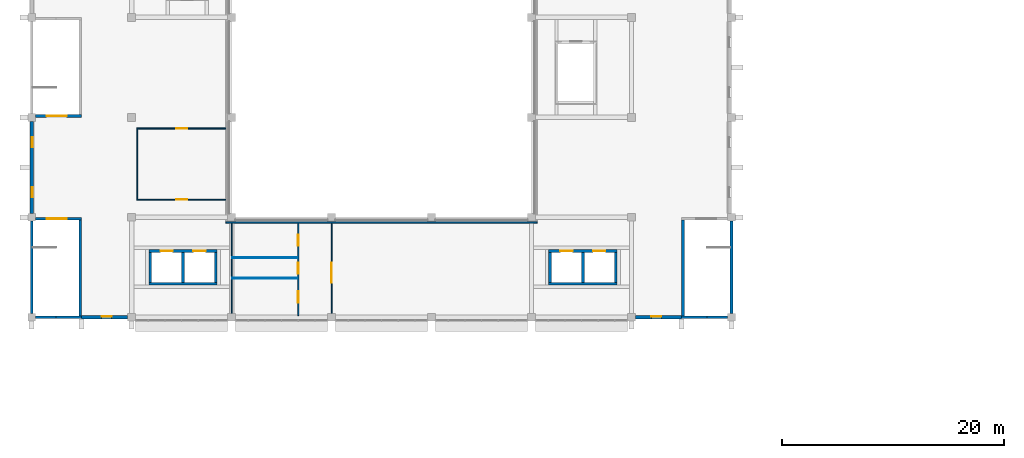
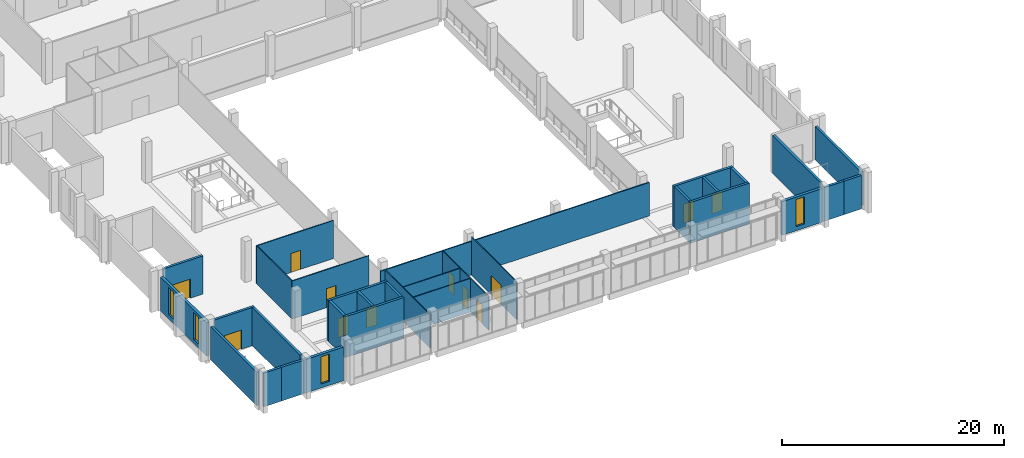
# One storey, part 22 of 40: 32 walls, 12 doors, 4 windows, 16 openings.
"""IFC4 building model written with IfcOpenShell, lengths in metres."""

from ifc_helpers import new_model, si_unit, direction, frame, frame_2d, origin, place, context, subcontext, project, spatial, rectangle, extrude, material, layer, layer_set, type_object, element, fill, save


model = new_model("IFC4")

# Units and contexts
model_context = context("Model", 3, precision=1e-05, world=origin(), true_north=direction((0.0, 1.0)))
body_context = subcontext(model_context, "Body", "Model", "MODEL_VIEW")
ifc_project = project(units=[si_unit("LENGTHUNIT", "METRE"), si_unit("AREAUNIT", "SQUARE_METRE"), si_unit("VOLUMEUNIT", "CUBIC_METRE"), si_unit("PLANEANGLEUNIT", "RADIAN"), si_unit("MASSUNIT", "GRAM", prefix="KILO")], contexts=[model_context])

# Site, building, storey
site_placement = place(None, origin())
site = spatial("IfcSite", under=ifc_project, at=site_placement, CompositionType="ELEMENT")
building_placement = place(site_placement, origin())
building = spatial("IfcBuilding", under=site, at=building_placement, Name="Guidao Yard Department Store", CompositionType="ELEMENT")
storey_placement = place(building_placement, frame((0.0, 0.0, 24.0)))
storey = spatial("IfcBuildingStorey", under=building, at=storey_placement, Name="L05", CompositionType="ELEMENT", Elevation=24.0)

# Walls
ifc_material_1 = material(Name="Moisture-resistant board on Steel Q235 studs", Category="steel")
ifc_layer_1 = layer(ifc_material_1, 0.080078125)
ifc_layer_set_1 = layer_set([ifc_layer_1], Name="Cubicle and Duct Partition P8 80 mm moisture-resistant board")
wall_type_1 = type_object("IfcWallType", Name="Cubicle and Duct Partition P8 80 mm moisture-resistant board", PredefinedType="PARTITIONING", material=ifc_layer_set_1)
for number, where, z_axis, x_axis, name in (
    (1, (18.050048828125, 48.510009765625, 0.0), (0.0, 0.0, 1.0), (1.0, 0.0, 0.0), "Wall W-HL05-004"),
    (2, (18.050048828125, 50.35791015625, 0.0), (0.0, 0.0, 1.0), (1.0, 0.0, 0.0), "Wall W-HL05-005"),
):
    element("IfcWall", number, at=place(storey_placement, frame(where, z_axis=z_axis, x_axis=x_axis)), inside=storey, type_object=wall_type_1, Name=name, PredefinedType="PARTITIONING", context=body_context, shape_type="SweptSolid", body=[
        extrude(rectangle(XDim=5.89990234375, YDim=0.080078125, at=frame_2d((2.949951171875, 0.0))), origin(), (0.0, 0.0, 1.0), 3.699951171875),
    ])
ifc_material_2 = material(Name="Fire-rated glazing in Steel Q235 frame", Category="steel")
ifc_layer_2 = layer(ifc_material_2, 0.1201171875)
ifc_layer_set_2 = layer_set([ifc_layer_2], Name="Fire-Glazed Screen P5 120 mm EI 60")
wall_type_2 = type_object("IfcWallType", Name="Fire-Glazed Screen P5 120 mm EI 60", PredefinedType="PARTITIONING", material=ifc_layer_set_2)
wall_1_placement = place(storey_placement, frame((17.489990234375, 53.550048828125, 0.0), z_axis=(0.0, 0.0, 1.0), x_axis=(1.0, 0.0, 0.0)))
element("IfcWall", 3, at=wall_1_placement, inside=storey, type_object=wall_type_2, Name="Wall W-HL05-006", PredefinedType="PARTITIONING", context=body_context, shape_type="SweptSolid", body=[
    extrude(rectangle(XDim=28.02001953125, YDim=0.1201171875, at=frame_2d((14.010009765625, 0.0))), origin(), (0.0, 0.0, 1.0), 3.699951171875),
])

# Wall, opening, window
ifc_material_3 = material(Name="Concrete C35", Category="concrete")
ifc_layer_3 = layer(ifc_material_3, 0.300048828125)
ifc_layer_set_3 = layer_set([ifc_layer_3], Name="Hall facade wall 300 C35")
wall_type_3 = type_object("IfcWallType", Name="Hall facade wall 300 C35", PredefinedType="SOLIDWALL", material=ifc_layer_set_3)
wall_2_placement = place(storey_placement, frame((8.64990234375, 45.0, 0.0), z_axis=(0.0, 0.0, 1.0), x_axis=(-1.0, 0.0, 0.0)))
wall_2 = element("IfcWall", 4, at=wall_2_placement, inside=storey, type_object=wall_type_3, Name="Hall facade wall", PredefinedType="SOLIDWALL", context=body_context, shape_type="SweptSolid", body=[
    extrude(rectangle(XDim=4.14990234375, YDim=0.300048828125, at=frame_2d((2.074951171875, 0.0))), origin(), (0.0, 0.0, 1.0), 3.699951171875),
])
opening_1_placement = place(wall_2_placement, frame((1.449951171875, 0.0, 0.449951171875)))
opening_1 = element("IfcOpeningElement", 5, at=opening_1_placement, cuts=wall_2, Name="Opening WN-L05-E01", PredefinedType="OPENING", context=body_context, shape_type="SweptSolid", body=[
    extrude(rectangle(XDim=0.89990234375, YDim=3.0, at=frame_2d((0.449951171875, 1.5))), frame((0.0, 0.159912109375, 0.0), z_axis=(0.0, -1.0, 0.0), x_axis=(1.0, 0.0, 0.0)), (0.0, 0.0, 1.0), 0.320068359375),
])
ifc_material_4 = material(Name="Laminated glass in aluminium frame", Category="aluminium")
window_type = type_object("IfcWindowType", Name="Slot window SL1 900 x 3000 fixed", PartitioningType="SINGLE_PANEL", PredefinedType="WINDOW", material=ifc_material_4)
window_1_placement = place(opening_1_placement, origin())
window_1 = element("IfcWindow", 6, at=window_1_placement, inside=storey, type_object=window_type, Name="Slot window", OverallHeight=3.0, OverallWidth=0.89990234375, PartitioningType="SINGLE_PANEL", PredefinedType="WINDOW", context=body_context, shape_type="SweptSolid", body=[
    extrude(rectangle(XDim=0.89990234375, YDim=3.0, at=frame_2d((0.449951171875, 1.5))), frame((0.0, -0.030029296875, 0.0), z_axis=(0.0, -1.0, 0.0), x_axis=(1.0, 0.0, 0.0)), (0.0, 0.0, 1.0), 0.06005859375),
])
fill(opening_1, window_1)

wall_3_placement = place(storey_placement, frame((58.5, 45.0, 0.0), z_axis=(0.0, 0.0, 1.0), x_axis=(-1.0, 0.0, 0.0)))
wall_3 = element("IfcWall", 7, at=wall_3_placement, inside=storey, type_object=wall_type_3, Name="Hall facade wall", PredefinedType="SOLIDWALL", context=body_context, shape_type="SweptSolid", body=[
    extrude(rectangle(XDim=4.14990234375, YDim=0.300048828125, at=frame_2d((2.074951171875, 0.0))), origin(), (0.0, 0.0, 1.0), 3.699951171875),
])
opening_2_placement = place(wall_3_placement, frame((1.800048828125, 0.0, 0.449951171875)))
opening_2 = element("IfcOpeningElement", 8, at=opening_2_placement, cuts=wall_3, Name="Opening WN-L05-E02", PredefinedType="OPENING", context=body_context, shape_type="SweptSolid", body=[
    extrude(rectangle(XDim=0.89990234375, YDim=3.0, at=frame_2d((0.449951171875, 1.5))), frame((0.0, 0.159912109375, 0.0), z_axis=(0.0, -1.0, 0.0), x_axis=(1.0, 0.0, 0.0)), (0.0, 0.0, 1.0), 0.320068359375),
])
window_2_placement = place(opening_2_placement, origin())
window_2 = element("IfcWindow", 9, at=window_2_placement, inside=storey, type_object=window_type, Name="Slot window", OverallHeight=3.0, OverallWidth=0.89990234375, PartitioningType="SINGLE_PANEL", PredefinedType="WINDOW", context=body_context, shape_type="SweptSolid", body=[
    extrude(rectangle(XDim=0.89990234375, YDim=3.0, at=frame_2d((0.449951171875, 1.5))), frame((0.0, -0.030029296875, 0.0), z_axis=(0.0, -1.0, 0.0), x_axis=(1.0, 0.0, 0.0)), (0.0, 0.0, 1.0), 0.06005859375),
])
fill(opening_2, window_2)

# Wall, openings, windows
wall_4_placement = place(storey_placement, frame((0.0, 54.35009765625, 0.0), z_axis=(0.0, 0.0, 1.0), x_axis=(0.0, 1.0, 0.0)))
wall_4 = element("IfcWall", 10, at=wall_4_placement, inside=storey, type_object=wall_type_3, Name="Hall facade wall", PredefinedType="SOLIDWALL", context=body_context, shape_type="SweptSolid", body=[
    extrude(rectangle(XDim=8.2998046875, YDim=0.300048828125, at=frame_2d((4.14990234375, 0.0))), origin(), (0.0, 0.0, 1.0), 3.699951171875),
])
opening_3_placement = place(wall_4_placement, frame((1.449951171875, 0.0, 0.449951171875)))
opening_3 = element("IfcOpeningElement", 11, at=opening_3_placement, cuts=wall_4, Name="Opening WN-L05-E03", PredefinedType="OPENING", context=body_context, shape_type="SweptSolid", body=[
    extrude(rectangle(XDim=0.89990234375, YDim=3.0, at=frame_2d((0.449951171875, 1.5))), frame((0.0, 0.159912109375, 0.0), z_axis=(0.0, -1.0, 0.0), x_axis=(1.0, 0.0, 0.0)), (0.0, 0.0, 1.0), 0.320068359375),
])
opening_4_placement = place(wall_4_placement, frame((5.949951171875, 0.0, 0.449951171875)))
opening_4 = element("IfcOpeningElement", 12, at=opening_4_placement, cuts=wall_4, Name="Opening WN-L05-E04", PredefinedType="OPENING", context=body_context, shape_type="SweptSolid", body=[
    extrude(rectangle(XDim=0.89990234375, YDim=3.0, at=frame_2d((0.449951171875, 1.5))), frame((0.0, 0.159912109375, 0.0), z_axis=(0.0, -1.0, 0.0), x_axis=(1.0, 0.0, 0.0)), (0.0, 0.0, 1.0), 0.320068359375),
])
window_3_placement = place(opening_3_placement, origin())
window_3 = element("IfcWindow", 13, at=window_3_placement, inside=storey, type_object=window_type, Name="Slot window", OverallHeight=3.0, OverallWidth=0.89990234375, PartitioningType="SINGLE_PANEL", PredefinedType="WINDOW", context=body_context, shape_type="SweptSolid", body=[
    extrude(rectangle(XDim=0.89990234375, YDim=3.0, at=frame_2d((0.449951171875, 1.5))), frame((0.0, -0.030029296875, 0.0), z_axis=(0.0, -1.0, 0.0), x_axis=(1.0, 0.0, 0.0)), (0.0, 0.0, 1.0), 0.06005859375),
])
fill(opening_3, window_3)
window_4_placement = place(opening_4_placement, origin())
window_4 = element("IfcWindow", 14, at=window_4_placement, inside=storey, type_object=window_type, Name="Slot window", OverallHeight=3.0, OverallWidth=0.89990234375, PartitioningType="SINGLE_PANEL", PredefinedType="WINDOW", context=body_context, shape_type="SweptSolid", body=[
    extrude(rectangle(XDim=0.89990234375, YDim=3.0, at=frame_2d((0.449951171875, 1.5))), frame((0.0, -0.030029296875, 0.0), z_axis=(0.0, -1.0, 0.0), x_axis=(1.0, 0.0, 0.0)), (0.0, 0.0, 1.0), 0.06005859375),
])
fill(opening_4, window_4)

# Wall, openings, doors
ifc_material_5 = material(Name="Gypsum board on Steel Q235 studs", Category="steel")
ifc_layer_4 = layer(ifc_material_5, 0.10009765625)
ifc_layer_set_4 = layer_set([ifc_layer_4], Name="Partition P1 100 mm gypsum board EI 30")
wall_type_4 = type_object("IfcWallType", Name="Partition P1 100 mm gypsum board EI 30", PredefinedType="PARTITIONING", material=ifc_layer_set_4)
wall_5_placement = place(storey_placement, frame((24.0, 45.14990234375, 0.0), z_axis=(0.0, 0.0, 1.0), x_axis=(0.0, 1.0, 0.0)))
wall_5 = element("IfcWall", 15, at=wall_5_placement, inside=storey, type_object=wall_type_4, Name="Wall W-HL05-001", PredefinedType="PARTITIONING", context=body_context, shape_type="SweptSolid", body=[
    extrude(rectangle(XDim=8.340087890625, YDim=0.10009765625, at=frame_2d((4.169921875, 0.0))), origin(), (0.0, 0.0, 1.0), 3.699951171875),
])
opening_5_placement = place(wall_5_placement, frame((1.179931640625, 0.0, 0.0)))
opening_5 = element("IfcOpeningElement", 16, at=opening_5_placement, cuts=wall_5, Name="Opening HL05-001", PredefinedType="OPENING", context=body_context, shape_type="SweptSolid", body=[
    extrude(rectangle(XDim=1.0, YDim=2.10009765625, at=frame_2d((0.5, 1.050048828125))), frame((0.0, 0.06005859375, 0.0), z_axis=(0.0, -1.0, 0.0), x_axis=(1.0, 0.0, 0.0)), (0.0, 0.0, 1.0), 0.1201171875),
])
opening_6_placement = place(wall_5_placement, frame((3.783935546875, 0.0, 0.0)))
opening_6 = element("IfcOpeningElement", 17, at=opening_6_placement, cuts=wall_5, Name="Opening HL05-003", PredefinedType="OPENING", context=body_context, shape_type="SweptSolid", body=[
    extrude(rectangle(XDim=1.0, YDim=2.10009765625, at=frame_2d((0.5, 1.050048828125))), frame((0.0, 0.06005859375, 0.0), z_axis=(0.0, -1.0, 0.0), x_axis=(1.0, 0.0, 0.0)), (0.0, 0.0, 1.0), 0.1201171875),
])
opening_7_placement = place(wall_5_placement, frame((6.303955078125, 0.0, 0.0)))
opening_7 = element("IfcOpeningElement", 18, at=opening_7_placement, cuts=wall_5, Name="Opening HL05-004", PredefinedType="OPENING", context=body_context, shape_type="SweptSolid", body=[
    extrude(rectangle(XDim=1.0, YDim=2.10009765625, at=frame_2d((0.5, 1.050048828125))), frame((0.0, 0.06005859375, 0.0), z_axis=(0.0, -1.0, 0.0), x_axis=(1.0, 0.0, 0.0)), (0.0, 0.0, 1.0), 0.1201171875),
])
ifc_material_6 = material(Name="Timber door leaf", Category="wood")
door_type_1 = type_object("IfcDoorType", Name="Door AD10 accessible WC 1000 x 2100", OperationType="SINGLE_SWING_LEFT", PredefinedType="DOOR", material=ifc_material_6)
door_1_placement = place(opening_6_placement, origin())
door_1 = element("IfcDoor", 19, at=door_1_placement, inside=storey, type_object=door_type_1, Name="Door HL05-003", OperationType="SINGLE_SWING_RIGHT", OverallHeight=2.10009765625, OverallWidth=1.0, PredefinedType="DOOR", context=body_context, shape_type="SweptSolid", body=[
    extrude(rectangle(XDim=1.0, YDim=2.10009765625, at=frame_2d((0.5, 1.050048828125))), frame((0.0, 0.02490234375, 0.0), z_axis=(0.0, -1.0, 0.0), x_axis=(1.0, 0.0, 0.0)), (0.0, 0.0, 1.0), 0.050048828125),
])
fill(opening_6, door_1)
ifc_material_7 = material(Name="Timber door leaf", Category="wood")
door_type_2 = type_object("IfcDoorType", Name="Door D2 1000 x 2100", OperationType="SINGLE_SWING_LEFT", PredefinedType="DOOR", material=ifc_material_7)
door_2_placement = place(opening_5_placement, origin())
door_2 = element("IfcDoor", 20, at=door_2_placement, inside=storey, type_object=door_type_2, Name="Door HL05-001", OperationType="SINGLE_SWING_LEFT", OverallHeight=2.10009765625, OverallWidth=1.0, PredefinedType="DOOR", context=body_context, shape_type="SweptSolid", body=[
    extrude(rectangle(XDim=1.0, YDim=2.10009765625, at=frame_2d((0.5, 1.050048828125))), frame((0.0, 0.02490234375, 0.0), z_axis=(0.0, -1.0, 0.0), x_axis=(1.0, 0.0, 0.0)), (0.0, 0.0, 1.0), 0.050048828125),
])
fill(opening_5, door_2)
door_3_placement = place(opening_7_placement, origin())
door_3 = element("IfcDoor", 21, at=door_3_placement, inside=storey, type_object=door_type_2, Name="Door HL05-004", OperationType="SINGLE_SWING_RIGHT", OverallHeight=2.10009765625, OverallWidth=1.0, PredefinedType="DOOR", context=body_context, shape_type="SweptSolid", body=[
    extrude(rectangle(XDim=1.0, YDim=2.10009765625, at=frame_2d((0.5, 1.050048828125))), frame((0.0, 0.02490234375, 0.0), z_axis=(0.0, -1.0, 0.0), x_axis=(1.0, 0.0, 0.0)), (0.0, 0.0, 1.0), 0.050048828125),
])
fill(opening_7, door_3)

# Wall
wall_6_placement = place(storey_placement, frame((18.0, 45.35009765625, 0.0), z_axis=(0.0, 0.0, 1.0), x_axis=(0.0, 1.0, 0.0)))
element("IfcWall", 22, at=wall_6_placement, inside=storey, type_object=wall_type_4, Name="Wall W-HL05-002", PredefinedType="PARTITIONING", context=body_context, shape_type="SweptSolid", body=[
    extrude(rectangle(XDim=8.139892578125, YDim=0.10009765625, at=frame_2d((4.06982421875, 0.0))), origin(), (0.0, 0.0, 1.0), 3.699951171875),
])

# Wall, opening, door
wall_7_placement = place(storey_placement, frame((27.0, 45.35009765625, 0.0), z_axis=(0.0, 0.0, 1.0), x_axis=(0.0, 1.0, 0.0)))
wall_7 = element("IfcWall", 23, at=wall_7_placement, inside=storey, type_object=wall_type_4, Name="Wall W-HL05-003", PredefinedType="PARTITIONING", context=body_context, shape_type="SweptSolid", body=[
    extrude(rectangle(XDim=8.139892578125, YDim=0.10009765625, at=frame_2d((4.06982421875, 0.0))), origin(), (0.0, 0.0, 1.0), 4.199951171875),
])
opening_8_placement = place(wall_7_placement, frame((4.550048828125, 0.0, 0.0), z_axis=(0.0, 0.0, 1.0), x_axis=(-1.0, 0.0, 0.0)))
opening_8 = element("IfcOpeningElement", 24, at=opening_8_placement, cuts=wall_7, Name="Opening HL05-002", PredefinedType="OPENING", context=body_context, shape_type="SweptSolid", body=[
    extrude(rectangle(XDim=1.800048828125, YDim=2.10009765625, at=frame_2d((0.89990234375, 1.050048828125))), frame((0.0, 0.06005859375, 0.0), z_axis=(0.0, -1.0, 0.0), x_axis=(1.0, 0.0, 0.0)), (0.0, 0.0, 1.0), 0.1201171875),
])
ifc_material_8 = material(Name="Timber door leaf", Category="wood")
door_type_3 = type_object("IfcDoorType", Name="Door D3 double 1800 x 2100", OperationType="DOUBLE_DOOR_SINGLE_SWING", PredefinedType="DOOR", material=ifc_material_8)
door_4_placement = place(opening_8_placement, origin())
door_4 = element("IfcDoor", 25, at=door_4_placement, inside=storey, type_object=door_type_3, Name="Door HL05-002", OperationType="DOUBLE_DOOR_SINGLE_SWING", OverallHeight=2.10009765625, OverallWidth=1.800048828125, PredefinedType="DOOR", context=body_context, shape_type="SweptSolid", body=[
    extrude(rectangle(XDim=1.800048828125, YDim=2.10009765625, at=frame_2d((0.89990234375, 1.050048828125))), frame((0.0, 0.02490234375, 0.0), z_axis=(0.0, -1.0, 0.0), x_axis=(1.0, 0.0, 0.0)), (0.0, 0.0, 1.0), 0.050048828125),
])
fill(opening_8, door_4)

wall_8_placement = place(storey_placement, frame((9.449951171875, 55.60009765625, 0.0), z_axis=(0.0, 0.0, 1.0), x_axis=(1.0, 0.0, 0.0)))
wall_8 = element("IfcWall", 26, at=wall_8_placement, inside=storey, type_object=wall_type_4, Name="Wall W-HL05-009", PredefinedType="PARTITIONING", context=body_context, shape_type="SweptSolid", body=[
    extrude(rectangle(XDim=8.0400390625, YDim=0.10009765625, at=frame_2d((4.02001953125, 0.0))), origin(), (0.0, 0.0, 1.0), 4.199951171875),
])
opening_9_placement = place(wall_8_placement, frame((3.574951171875, 0.0, 0.0)))
opening_9 = element("IfcOpeningElement", 27, at=opening_9_placement, cuts=wall_8, Name="Opening HL05-005", PredefinedType="OPENING", context=body_context, shape_type="SweptSolid", body=[
    extrude(rectangle(XDim=1.0, YDim=2.10009765625, at=frame_2d((0.5, 1.050048828125))), frame((0.0, 0.06005859375, 0.0), z_axis=(0.0, -1.0, 0.0), x_axis=(1.0, 0.0, 0.0)), (0.0, 0.0, 1.0), 0.1201171875),
])
door_5_placement = place(opening_9_placement, origin())
door_5 = element("IfcDoor", 28, at=door_5_placement, inside=storey, type_object=door_type_2, Name="Door HL05-005", OperationType="SINGLE_SWING_RIGHT", OverallHeight=2.10009765625, OverallWidth=1.0, PredefinedType="DOOR", context=body_context, shape_type="SweptSolid", body=[
    extrude(rectangle(XDim=1.0, YDim=2.10009765625, at=frame_2d((0.5, 1.050048828125))), frame((0.0, 0.02490234375, 0.0), z_axis=(0.0, -1.0, 0.0), x_axis=(1.0, 0.0, 0.0)), (0.0, 0.0, 1.0), 0.050048828125),
])
fill(opening_9, door_5)

# Wall
wall_9_placement = place(storey_placement, frame((9.5, 55.64990234375, 0.0), z_axis=(0.0, 0.0, 1.0), x_axis=(0.0, 1.0, 0.0)))
element("IfcWall", 29, at=wall_9_placement, inside=storey, type_object=wall_type_4, Name="Wall W-HL05-010", PredefinedType="PARTITIONING", context=body_context, shape_type="SweptSolid", body=[
    extrude(rectangle(XDim=6.300048828125, YDim=0.10009765625, at=frame_2d((3.14990234375, 0.0))), origin(), (0.0, 0.0, 1.0), 4.199951171875),
])

# Wall, opening, door
wall_10_placement = place(storey_placement, frame((9.449951171875, 62.0, 0.0), z_axis=(0.0, 0.0, 1.0), x_axis=(1.0, 0.0, 0.0)))
wall_10 = element("IfcWall", 30, at=wall_10_placement, inside=storey, type_object=wall_type_4, Name="Wall W-HL05-011", PredefinedType="PARTITIONING", context=body_context, shape_type="SweptSolid", body=[
    extrude(rectangle(XDim=8.0400390625, YDim=0.10009765625, at=frame_2d((4.02001953125, 0.0))), origin(), (0.0, 0.0, 1.0), 4.199951171875),
])
opening_10_placement = place(wall_10_placement, frame((4.574951171875, 0.0, 0.0), z_axis=(0.0, 0.0, 1.0), x_axis=(-1.0, 0.0, 0.0)))
opening_10 = element("IfcOpeningElement", 31, at=opening_10_placement, cuts=wall_10, Name="Opening HL05-006", PredefinedType="OPENING", context=body_context, shape_type="SweptSolid", body=[
    extrude(rectangle(XDim=1.0, YDim=2.10009765625, at=frame_2d((0.5, 1.050048828125))), frame((0.0, 0.06005859375, 0.0), z_axis=(0.0, -1.0, 0.0), x_axis=(1.0, 0.0, 0.0)), (0.0, 0.0, 1.0), 0.1201171875),
])
door_6_placement = place(opening_10_placement, origin())
door_6 = element("IfcDoor", 32, at=door_6_placement, inside=storey, type_object=door_type_2, Name="Door HL05-006", OperationType="SINGLE_SWING_LEFT", OverallHeight=2.10009765625, OverallWidth=1.0, PredefinedType="DOOR", context=body_context, shape_type="SweptSolid", body=[
    extrude(rectangle(XDim=1.0, YDim=2.10009765625, at=frame_2d((0.5, 1.050048828125))), frame((0.0, 0.02490234375, 0.0), z_axis=(0.0, -1.0, 0.0), x_axis=(1.0, 0.0, 0.0)), (0.0, 0.0, 1.0), 0.050048828125),
])
fill(opening_10, door_6)

ifc_material_9 = material(Name="Concrete C40", Category="concrete")
ifc_layer_5 = layer(ifc_material_9, 0.25)
ifc_layer_set_5 = layer_set([ifc_layer_5], Name="Wall RC 250 C40 stair and shaft")
wall_type_5 = type_object("IfcWallType", Name="Wall RC 250 C40 stair and shaft", PredefinedType="SHEAR", material=ifc_layer_set_5)
wall_11_placement = place(storey_placement, frame((0.35009765625, 63.125, 0.0), z_axis=(0.0, 0.0, 1.0), x_axis=(1.0, 0.0, 0.0)))
wall_11 = element("IfcWall", 33, at=wall_11_placement, inside=storey, type_object=wall_type_5, Name="Stair wall SA1", PredefinedType="SHEAR", context=body_context, shape_type="SweptSolid", body=[
    extrude(rectangle(XDim=4.14990234375, YDim=0.25, at=frame_2d((2.074951171875, 0.0))), origin(), (0.0, 0.0, 1.0), 4.199951171875),
])
opening_11_placement = place(wall_11_placement, frame((1.0, 0.0, 0.0)))
opening_11 = element("IfcOpeningElement", 34, at=opening_11_placement, cuts=wall_11, Name="Opening L05-800", PredefinedType="OPENING", context=body_context, shape_type="SweptSolid", body=[
    extrude(rectangle(XDim=1.800048828125, YDim=2.10009765625, at=frame_2d((0.89990234375, 1.050048828125))), frame((0.0, 0.135009765625, 0.0), z_axis=(0.0, -1.0, 0.0), x_axis=(1.0, 0.0, 0.0)), (0.0, 0.0, 1.0), 0.27001953125),
])
ifc_material_10 = material(Name="Steel Q235", Category="steel")
door_type_4 = type_object("IfcDoorType", Name="Door fire-resisting 1800 x 2100 FD60", OperationType="DOUBLE_DOOR_SINGLE_SWING", PredefinedType="DOOR", material=ifc_material_10)
door_7_placement = place(opening_11_placement, origin())
door_7 = element("IfcDoor", 35, at=door_7_placement, inside=storey, type_object=door_type_4, Name="Stair A1 door L05", OperationType="DOUBLE_DOOR_SINGLE_SWING", OverallHeight=2.10009765625, OverallWidth=1.800048828125, PredefinedType="DOOR", context=body_context, shape_type="SweptSolid", body=[
    extrude(rectangle(XDim=1.800048828125, YDim=2.10009765625, at=frame_2d((0.89990234375, 1.050048828125))), frame((0.0, 0.02490234375, 0.0), z_axis=(0.0, -1.0, 0.0), x_axis=(1.0, 0.0, 0.0)), (0.0, 0.0, 1.0), 0.050048828125),
])
fill(opening_11, door_7)

# Walls
wall_12_placement = place(storey_placement, frame((58.5, 45.0, 0.0), z_axis=(0.0, 0.0, 1.0), x_axis=(1.0, 0.0, 0.0)))
element("IfcWall", 36, at=wall_12_placement, inside=storey, type_object=wall_type_5, Name="Stair wall SA2", PredefinedType="SHEAR", context=body_context, shape_type="SweptSolid", body=[
    extrude(rectangle(XDim=2.31201171875, YDim=0.25, at=frame_2d((1.156005859375, 0.0))), origin(), (0.0, 0.0, 1.0), 3.699951171875),
])
wall_13_placement = place(storey_placement, frame((60.81201171875, 45.0, 0.0), z_axis=(0.0, 0.0, 1.0), x_axis=(1.0, 0.0, 0.0)))
element("IfcWall", 37, at=wall_13_placement, inside=storey, type_object=wall_type_5, Name="Stair wall SA2", PredefinedType="SHEAR", context=body_context, shape_type="SweptSolid", body=[
    extrude(rectangle(XDim=1.837890625, YDim=0.25, at=frame_2d((0.9189453125, 0.0))), origin(), (0.0, 0.0, 1.0), 3.699951171875),
])
wall_14_placement = place(storey_placement, frame((58.625, 45.125, 0.0), z_axis=(0.0, 0.0, 1.0), x_axis=(0.0, 1.0, 0.0)))
element("IfcWall", 38, at=wall_14_placement, inside=storey, type_object=wall_type_5, Name="Stair wall SA2", PredefinedType="SHEAR", context=body_context, shape_type="SweptSolid", body=[
    extrude(rectangle(XDim=8.625, YDim=0.25, at=frame_2d((4.3125, 0.0))), origin(), (0.0, 0.0, 1.0), 4.199951171875),
])
wall_15_placement = place(storey_placement, frame((63.0, 45.35009765625, 0.0), z_axis=(0.0, 0.0, 1.0), x_axis=(0.0, 1.0, 0.0)))
element("IfcWall", 39, at=wall_15_placement, inside=storey, type_object=wall_type_5, Name="Stair wall SA2", PredefinedType="SHEAR", context=body_context, shape_type="SweptSolid", body=[
    extrude(rectangle(XDim=8.2998046875, YDim=0.25, at=frame_2d((4.14990234375, 0.0))), origin(), (0.0, 0.0, 1.0), 3.699951171875),
])
wall_16_placement = place(storey_placement, frame((0.35009765625, 45.0, 0.0), z_axis=(0.0, 0.0, 1.0), x_axis=(1.0, 0.0, 0.0)))
element("IfcWall", 40, at=wall_16_placement, inside=storey, type_object=wall_type_5, Name="Stair wall SA8", PredefinedType="SHEAR", context=body_context, shape_type="SweptSolid", body=[
    extrude(rectangle(XDim=1.837890625, YDim=0.25, at=frame_2d((0.9189453125, 0.0))), origin(), (0.0, 0.0, 1.0), 3.699951171875),
])
wall_17_placement = place(storey_placement, frame((2.18798828125, 45.0, 0.0), z_axis=(0.0, 0.0, 1.0), x_axis=(1.0, 0.0, 0.0)))
element("IfcWall", 41, at=wall_17_placement, inside=storey, type_object=wall_type_5, Name="Stair wall SA8", PredefinedType="SHEAR", context=body_context, shape_type="SweptSolid", body=[
    extrude(rectangle(XDim=2.31201171875, YDim=0.25, at=frame_2d((1.156005859375, 0.0))), origin(), (0.0, 0.0, 1.0), 3.699951171875),
])

# Wall, opening, door
wall_18_placement = place(storey_placement, frame((0.35009765625, 53.875, 0.0), z_axis=(0.0, 0.0, 1.0), x_axis=(1.0, 0.0, 0.0)))
wall_18 = element("IfcWall", 42, at=wall_18_placement, inside=storey, type_object=wall_type_5, Name="Stair wall SA8", PredefinedType="SHEAR", context=body_context, shape_type="SweptSolid", body=[
    extrude(rectangle(XDim=4.14990234375, YDim=0.25, at=frame_2d((2.074951171875, 0.0))), origin(), (0.0, 0.0, 1.0), 4.199951171875),
])
opening_12_placement = place(wall_18_placement, frame((2.800048828125, 0.0, 0.0), z_axis=(0.0, 0.0, 1.0), x_axis=(-1.0, 0.0, 0.0)))
opening_12 = element("IfcOpeningElement", 43, at=opening_12_placement, cuts=wall_18, Name="Opening L05-807", PredefinedType="OPENING", context=body_context, shape_type="SweptSolid", body=[
    extrude(rectangle(XDim=1.800048828125, YDim=2.10009765625, at=frame_2d((0.89990234375, 1.050048828125))), frame((0.0, 0.135009765625, 0.0), z_axis=(0.0, -1.0, 0.0), x_axis=(1.0, 0.0, 0.0)), (0.0, 0.0, 1.0), 0.27001953125),
])
door_8_placement = place(opening_12_placement, origin())
door_8 = element("IfcDoor", 44, at=door_8_placement, inside=storey, type_object=door_type_4, Name="Stair A8 door L05", OperationType="DOUBLE_DOOR_SINGLE_SWING", OverallHeight=2.10009765625, OverallWidth=1.800048828125, PredefinedType="DOOR", context=body_context, shape_type="SweptSolid", body=[
    extrude(rectangle(XDim=1.800048828125, YDim=2.10009765625, at=frame_2d((0.89990234375, 1.050048828125))), frame((0.0, 0.02490234375, 0.0), z_axis=(0.0, -1.0, 0.0), x_axis=(1.0, 0.0, 0.0)), (0.0, 0.0, 1.0), 0.050048828125),
])
fill(opening_12, door_8)

# Walls
wall_19_placement = place(storey_placement, frame((0.0, 45.35009765625, 0.0), z_axis=(0.0, 0.0, 1.0), x_axis=(0.0, 1.0, 0.0)))
element("IfcWall", 45, at=wall_19_placement, inside=storey, type_object=wall_type_5, Name="Stair wall SA8", PredefinedType="SHEAR", context=body_context, shape_type="SweptSolid", body=[
    extrude(rectangle(XDim=8.2998046875, YDim=0.25, at=frame_2d((4.14990234375, 0.0))), origin(), (0.0, 0.0, 1.0), 3.699951171875),
])
wall_20_placement = place(storey_placement, frame((4.375, 45.125, 0.0), z_axis=(0.0, 0.0, 1.0), x_axis=(0.0, 1.0, 0.0)))
element("IfcWall", 46, at=wall_20_placement, inside=storey, type_object=wall_type_5, Name="Stair wall SA8", PredefinedType="SHEAR", context=body_context, shape_type="SweptSolid", body=[
    extrude(rectangle(XDim=8.625, YDim=0.25, at=frame_2d((4.3125, 0.0))), origin(), (0.0, 0.0, 1.0), 4.199951171875),
])

# Wall, openings, doors
wall_21_placement = place(storey_placement, frame((10.550048828125, 50.97509765625, 0.0), z_axis=(0.0, 0.0, 1.0), x_axis=(1.0, 0.0, 0.0)))
wall_21 = element("IfcWall", 47, at=wall_21_placement, inside=storey, type_object=wall_type_5, Name="Lift shaft wall HL1 to HL2", PredefinedType="SHEAR", context=body_context, shape_type="SweptSolid", body=[
    extrude(rectangle(XDim=6.14990234375, YDim=0.25, at=frame_2d((3.074951171875, 0.0))), origin(), (0.0, 0.0, 1.0), 4.5),
])
opening_13_placement = place(wall_21_placement, frame((1.050048828125, 0.0, 0.0)))
opening_13 = element("IfcOpeningElement", 48, at=opening_13_placement, cuts=wall_21, Name="Opening LD-HL1-L05", PredefinedType="OPENING", context=body_context, shape_type="SweptSolid", body=[
    extrude(rectangle(XDim=1.10009765625, YDim=2.10009765625, at=frame_2d((0.550048828125, 1.050048828125))), frame((0.0, 0.135009765625, 0.0), z_axis=(0.0, -1.0, 0.0), x_axis=(1.0, 0.0, 0.0)), (0.0, 0.0, 1.0), 0.27001953125),
])
opening_14_placement = place(wall_21_placement, frame((4.0, 0.0, 0.0)))
opening_14 = element("IfcOpeningElement", 49, at=opening_14_placement, cuts=wall_21, Name="Opening LD-HL2-L05", PredefinedType="OPENING", context=body_context, shape_type="SweptSolid", body=[
    extrude(rectangle(XDim=1.10009765625, YDim=2.10009765625, at=frame_2d((0.550048828125, 1.050048828125))), frame((0.0, 0.135009765625, 0.0), z_axis=(0.0, -1.0, 0.0), x_axis=(1.0, 0.0, 0.0)), (0.0, 0.0, 1.0), 0.27001953125),
])
ifc_material_11 = material(Name="Stainless steel 06Cr19Ni10", Category="steel")
door_type_5 = type_object("IfcDoorType", Name="Lift landing door fire-resisting sliding 1100 x 2100", OperationType="DOUBLE_DOOR_SLIDING", PredefinedType="DOOR", material=ifc_material_11)
door_9_placement = place(opening_13_placement, origin())
door_9 = element("IfcDoor", 50, at=door_9_placement, inside=storey, type_object=door_type_5, Name="Lift landing door HL1 L05", OperationType="DOUBLE_DOOR_SLIDING", OverallHeight=2.10009765625, OverallWidth=1.10009765625, PredefinedType="DOOR", context=body_context, shape_type="SweptSolid", body=[
    extrude(rectangle(XDim=1.10009765625, YDim=2.10009765625, at=frame_2d((0.550048828125, 1.050048828125))), frame((0.0, 0.02490234375, 0.0), z_axis=(0.0, -1.0, 0.0), x_axis=(1.0, 0.0, 0.0)), (0.0, 0.0, 1.0), 0.050048828125),
])
fill(opening_13, door_9)
door_10_placement = place(opening_14_placement, origin())
door_10 = element("IfcDoor", 51, at=door_10_placement, inside=storey, type_object=door_type_5, Name="Lift landing door HL2 L05", OperationType="DOUBLE_DOOR_SLIDING", OverallHeight=2.10009765625, OverallWidth=1.10009765625, PredefinedType="DOOR", context=body_context, shape_type="SweptSolid", body=[
    extrude(rectangle(XDim=1.10009765625, YDim=2.10009765625, at=frame_2d((0.550048828125, 1.050048828125))), frame((0.0, 0.02490234375, 0.0), z_axis=(0.0, -1.0, 0.0), x_axis=(1.0, 0.0, 0.0)), (0.0, 0.0, 1.0), 0.050048828125),
])
fill(opening_14, door_10)

# Walls
wall_22_placement = place(storey_placement, frame((10.550048828125, 48.02490234375, 0.0), z_axis=(0.0, 0.0, 1.0), x_axis=(1.0, 0.0, 0.0)))
element("IfcWall", 52, at=wall_22_placement, inside=storey, type_object=wall_type_5, Name="Lift shaft wall HL1 to HL2", PredefinedType="SHEAR", context=body_context, shape_type="SweptSolid", body=[
    extrude(rectangle(XDim=6.14990234375, YDim=0.25, at=frame_2d((3.074951171875, 0.0))), origin(), (0.0, 0.0, 1.0), 4.5),
])
for number, where, z_axis, x_axis, name in (
    (53, (10.675048828125, 48.14990234375, 0.0), (0.0, 0.0, 1.0), (0.0, 1.0, 0.0), "Lift shaft wall HL1 to HL2"),
    (54, (13.625, 48.14990234375, 0.0), (0.0, 0.0, 1.0), (0.0, 1.0, 0.0), "Lift shaft wall HL1 to HL2"),
    (55, (16.574951171875, 48.14990234375, 0.0), (0.0, 0.0, 1.0), (0.0, 1.0, 0.0), "Lift shaft wall HL1 to HL2"),
):
    element("IfcWall", number, at=place(storey_placement, frame(where, z_axis=z_axis, x_axis=x_axis)), inside=storey, type_object=wall_type_5, Name=name, PredefinedType="SHEAR", context=body_context, shape_type="SweptSolid", body=[
        extrude(rectangle(XDim=2.7001953125, YDim=0.25, at=frame_2d((1.35009765625, 0.0))), origin(), (0.0, 0.0, 1.0), 4.5),
    ])

# Wall, openings, doors
wall_23_placement = place(storey_placement, frame((46.550048828125, 50.97509765625, 0.0), z_axis=(0.0, 0.0, 1.0), x_axis=(1.0, 0.0, 0.0)))
wall_23 = element("IfcWall", 56, at=wall_23_placement, inside=storey, type_object=wall_type_5, Name="Lift shaft wall HL3 to HL4", PredefinedType="SHEAR", context=body_context, shape_type="SweptSolid", body=[
    extrude(rectangle(XDim=6.14990234375, YDim=0.25, at=frame_2d((3.074951171875, 0.0))), origin(), (0.0, 0.0, 1.0), 4.5),
])
opening_15_placement = place(wall_23_placement, frame((1.050048828125, 0.0, 0.0)))
opening_15 = element("IfcOpeningElement", 57, at=opening_15_placement, cuts=wall_23, Name="Opening LD-HL3-L05", PredefinedType="OPENING", context=body_context, shape_type="SweptSolid", body=[
    extrude(rectangle(XDim=1.10009765625, YDim=2.10009765625, at=frame_2d((0.550048828125, 1.050048828125))), frame((0.0, 0.135009765625, 0.0), z_axis=(0.0, -1.0, 0.0), x_axis=(1.0, 0.0, 0.0)), (0.0, 0.0, 1.0), 0.27001953125),
])
opening_16_placement = place(wall_23_placement, frame((4.0, 0.0, 0.0)))
opening_16 = element("IfcOpeningElement", 58, at=opening_16_placement, cuts=wall_23, Name="Opening LD-HL4-L05", PredefinedType="OPENING", context=body_context, shape_type="SweptSolid", body=[
    extrude(rectangle(XDim=1.10009765625, YDim=2.10009765625, at=frame_2d((0.550048828125, 1.050048828125))), frame((0.0, 0.135009765625, 0.0), z_axis=(0.0, -1.0, 0.0), x_axis=(1.0, 0.0, 0.0)), (0.0, 0.0, 1.0), 0.27001953125),
])
door_11_placement = place(opening_15_placement, origin())
door_11 = element("IfcDoor", 59, at=door_11_placement, inside=storey, type_object=door_type_5, Name="Lift landing door HL3 L05", OperationType="DOUBLE_DOOR_SLIDING", OverallHeight=2.10009765625, OverallWidth=1.10009765625, PredefinedType="DOOR", context=body_context, shape_type="SweptSolid", body=[
    extrude(rectangle(XDim=1.10009765625, YDim=2.10009765625, at=frame_2d((0.550048828125, 1.050048828125))), frame((0.0, 0.02490234375, 0.0), z_axis=(0.0, -1.0, 0.0), x_axis=(1.0, 0.0, 0.0)), (0.0, 0.0, 1.0), 0.050048828125),
])
fill(opening_15, door_11)
door_12_placement = place(opening_16_placement, origin())
door_12 = element("IfcDoor", 60, at=door_12_placement, inside=storey, type_object=door_type_5, Name="Lift landing door HL4 L05", OperationType="DOUBLE_DOOR_SLIDING", OverallHeight=2.10009765625, OverallWidth=1.10009765625, PredefinedType="DOOR", context=body_context, shape_type="SweptSolid", body=[
    extrude(rectangle(XDim=1.10009765625, YDim=2.10009765625, at=frame_2d((0.550048828125, 1.050048828125))), frame((0.0, 0.02490234375, 0.0), z_axis=(0.0, -1.0, 0.0), x_axis=(1.0, 0.0, 0.0)), (0.0, 0.0, 1.0), 0.050048828125),
])
fill(opening_16, door_12)

# Walls
wall_24_placement = place(storey_placement, frame((46.550048828125, 48.02490234375, 0.0), z_axis=(0.0, 0.0, 1.0), x_axis=(1.0, 0.0, 0.0)))
element("IfcWall", 61, at=wall_24_placement, inside=storey, type_object=wall_type_5, Name="Lift shaft wall HL3 to HL4", PredefinedType="SHEAR", context=body_context, shape_type="SweptSolid", body=[
    extrude(rectangle(XDim=6.14990234375, YDim=0.25, at=frame_2d((3.074951171875, 0.0))), origin(), (0.0, 0.0, 1.0), 4.5),
])
for number, where, z_axis, x_axis, name in (
    (62, (46.675048828125, 48.14990234375, 0.0), (0.0, 0.0, 1.0), (0.0, 1.0, 0.0), "Lift shaft wall HL3 to HL4"),
    (63, (49.625, 48.14990234375, 0.0), (0.0, 0.0, 1.0), (0.0, 1.0, 0.0), "Lift shaft wall HL3 to HL4"),
    (64, (52.574951171875, 48.14990234375, 0.0), (0.0, 0.0, 1.0), (0.0, 1.0, 0.0), "Lift shaft wall HL3 to HL4"),
):
    element("IfcWall", number, at=place(storey_placement, frame(where, z_axis=z_axis, x_axis=x_axis)), inside=storey, type_object=wall_type_5, Name=name, PredefinedType="SHEAR", context=body_context, shape_type="SweptSolid", body=[
        extrude(rectangle(XDim=2.7001953125, YDim=0.25, at=frame_2d((1.35009765625, 0.0))), origin(), (0.0, 0.0, 1.0), 4.5),
    ])

save(model, "model.ifc")
